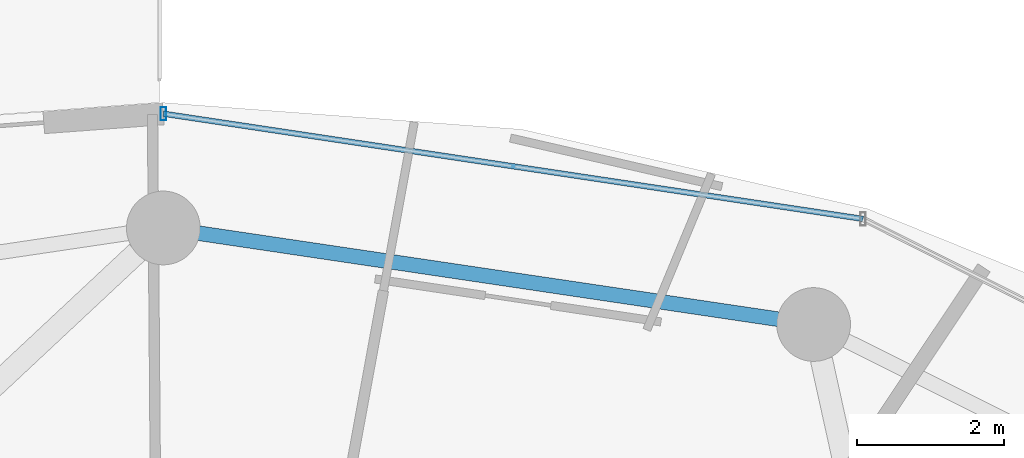
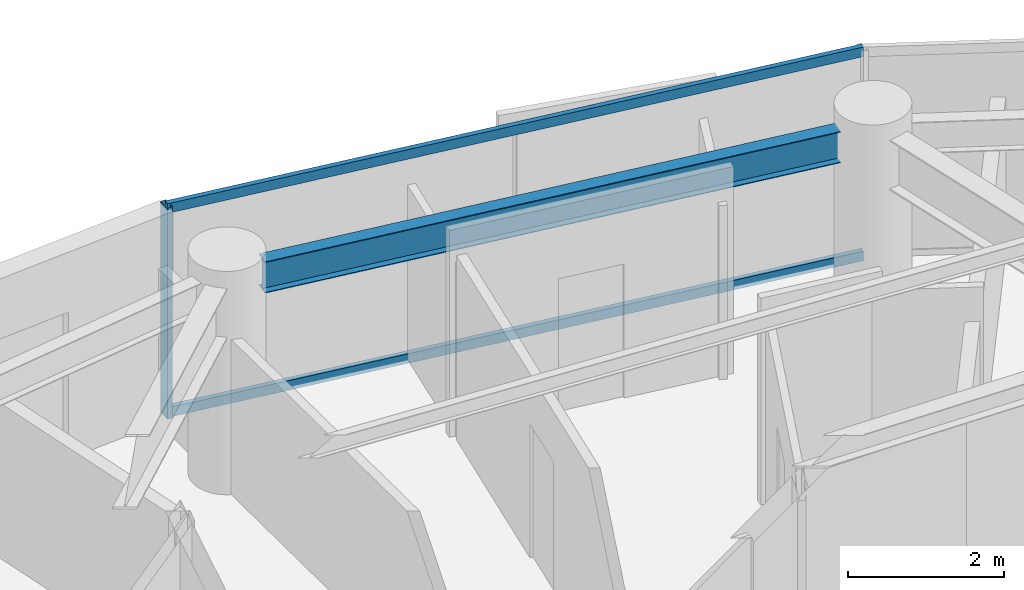
# One storey, part 17 of 29: 3 members, 1 beam, 1 element without a shape of its own.
"""IFC4 building model written with IfcOpenShell, lengths in metres."""

from ifc_helpers import new_model, si_unit, direction, frame, origin, origin_2d, place, context, subcontext, project, spatial, hollow_rectangle, i_section, extrude, material, material_profile, profile_set, type_object, element, aggregate, save


model = new_model("IFC4")

# Units and contexts
model_context = context("Model", 3, precision=1e-05, world=origin(), true_north=direction((0.0, 1.0)))
body_context = subcontext(model_context, "Body", "Model", "MODEL_VIEW")
ifc_project = project(units=[si_unit("LENGTHUNIT", "METRE"), si_unit("AREAUNIT", "SQUARE_METRE"), si_unit("VOLUMEUNIT", "CUBIC_METRE"), si_unit("PLANEANGLEUNIT", "RADIAN"), si_unit("MASSUNIT", "GRAM", prefix="KILO")], contexts=[model_context])

# Site, building, storey
site_placement = place(None, origin())
site = spatial("IfcSite", under=ifc_project, at=site_placement, CompositionType="ELEMENT")
building_placement = place(site_placement, origin())
building = spatial("IfcBuilding", under=site, at=building_placement, Name="Vorneva Point Tower", CompositionType="ELEMENT")
storey_placement = place(building_placement, frame((0.0, 0.0, 150.10009765625)))
storey = spatial("IfcBuildingStorey", under=building, at=storey_placement, Name="L40", CompositionType="ELEMENT", Elevation=150.10009765625)

# Beam
ifc_material_1 = material(Name="Steel S355", Category="steel")
ifc_material_profile_1 = material_profile(ifc_material_1, i_section(OverallWidth=0.199951171875, OverallDepth=0.491943359375, WebThickness=0.0087890625, FlangeThickness=0.011962890625, at=origin_2d()), Name="50B1")
ifc_profile_set_1 = profile_set([ifc_material_profile_1], Name="Steel S355")
beam_type = type_object("IfcBeamType", Name="BM-SPN-50B1", PredefinedType="SPANDREL", material=ifc_profile_set_1)
beam_placement = place(storey_placement, frame((46.34130859375, 41.9619140625, 2.993896484375), z_axis=(-0.989161199046, 0.146833655211, 0.0), x_axis=(-0.146833655211, -0.989161199046, 0.0)))
element("IfcBeam", 1, at=beam_placement, inside=storey, type_object=beam_type, Name="L40 Perimeter Spandrel Ring Beam 04", PredefinedType="SPANDREL", context=body_context, shape_type="SweptSolid", body=[
    extrude(i_section(OverallWidth=0.199951171875, OverallDepth=0.491943359375, WebThickness=0.0087890625, FlangeThickness=0.011962890625, at=origin_2d()), origin(), (0.0, 0.0, 1.0), 7.94775390625),
])

# Curtain wall, members
ifc_material_2 = material(Name="Pale anodised aluminium", Category="aluminium")
curtain_wall_type = type_object("IfcCurtainWallType", Name="CW-RES-SYS", PredefinedType="NOTDEFINED", material=ifc_material_2)
curtain_wall_placement = place(storey_placement, origin())
curtain_wall = element("IfcCurtainWall", 2, at=curtain_wall_placement, inside=storey, type_object=curtain_wall_type, Name="L40 Unitised Curtain Wall CW-L40-R02", PredefinedType="NOTDEFINED")
ifc_material_profile_2 = material_profile(ifc_material_2, hollow_rectangle(XDim=0.074951171875, YDim=0.179931640625, WallThickness=0.00390625, at=origin_2d()), Name="AL-MUL 180x75x4")
ifc_profile_set_2 = profile_set([ifc_material_profile_2], Name="Pale anodised aluminium")
member_type_1 = type_object("IfcMemberType", Name="CW-MUL-180", PredefinedType="MULLION", material=ifc_profile_set_2)
member_1_placement = place(storey_placement, frame((38.0, 44.75, -0.0400390625), z_axis=(0.0, 0.0, 1.0), x_axis=(1.0, 0.0, 0.0)))
member_1 = element("IfcMember", 3, at=member_1_placement, type_object=member_type_1, Name="CW-L40-R02 Mullion 03", PredefinedType="MULLION", context=body_context, shape_type="SweptSolid", body=[
    extrude(hollow_rectangle(XDim=0.074951171875, YDim=0.179931640625, WallThickness=0.00390625, at=origin_2d()), origin(), (0.0, 0.0, 1.0), 3.31005859375),
])
ifc_material_profile_3 = material_profile(ifc_material_2, hollow_rectangle(XDim=0.074951171875, YDim=0.14990234375, WallThickness=0.00390625, at=origin_2d()), Name="AL-TRN 150x75x4")
ifc_profile_set_3 = profile_set([ifc_material_profile_3], Name="Pale anodised aluminium")
member_type_2 = type_object("IfcMemberType", Name="CW-TRN-150", PredefinedType="USERDEFINED", material=ifc_profile_set_3)
member_2_placement = place(storey_placement, frame((47.490478515625, 43.32275390625, 0.02001953125), z_axis=(-0.988880117727, 0.148714870687, 0.0), x_axis=(-0.148714870687, -0.988880117727, 0.0)))
member_2 = element("IfcMember", 4, at=member_2_placement, type_object=member_type_2, Name="CW-L40-R02 Transom 02.1", ObjectType="TRANSOM", PredefinedType="USERDEFINED", context=body_context, shape_type="SweptSolid", body=[
    extrude(hollow_rectangle(XDim=0.074951171875, YDim=0.14990234375, WallThickness=0.00390625, at=origin_2d()), origin(), (0.0, 0.0, 1.0), 9.59716796875),
])
member_3_placement = place(storey_placement, frame((47.490478515625, 43.32275390625, 3.219970703125), z_axis=(-0.988880117727, 0.148714870687, 0.0), x_axis=(-0.148714870687, -0.988880117727, 0.0)))
member_3 = element("IfcMember", 5, at=member_3_placement, type_object=member_type_2, Name="CW-L40-R02 Transom 02.2", ObjectType="TRANSOM", PredefinedType="USERDEFINED", context=body_context, shape_type="SweptSolid", body=[
    extrude(hollow_rectangle(XDim=0.074951171875, YDim=0.14990234375, WallThickness=0.00390625, at=origin_2d()), origin(), (0.0, 0.0, 1.0), 9.59716796875),
])
aggregate(curtain_wall, [member_1, member_2, member_3])

save(model, "model.ifc")
